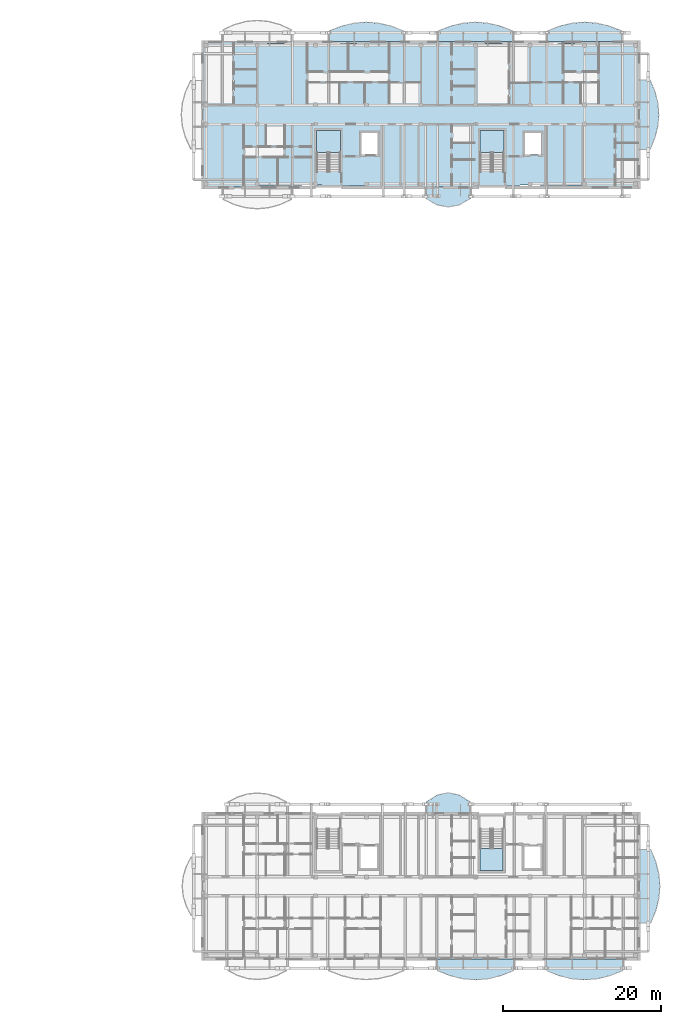
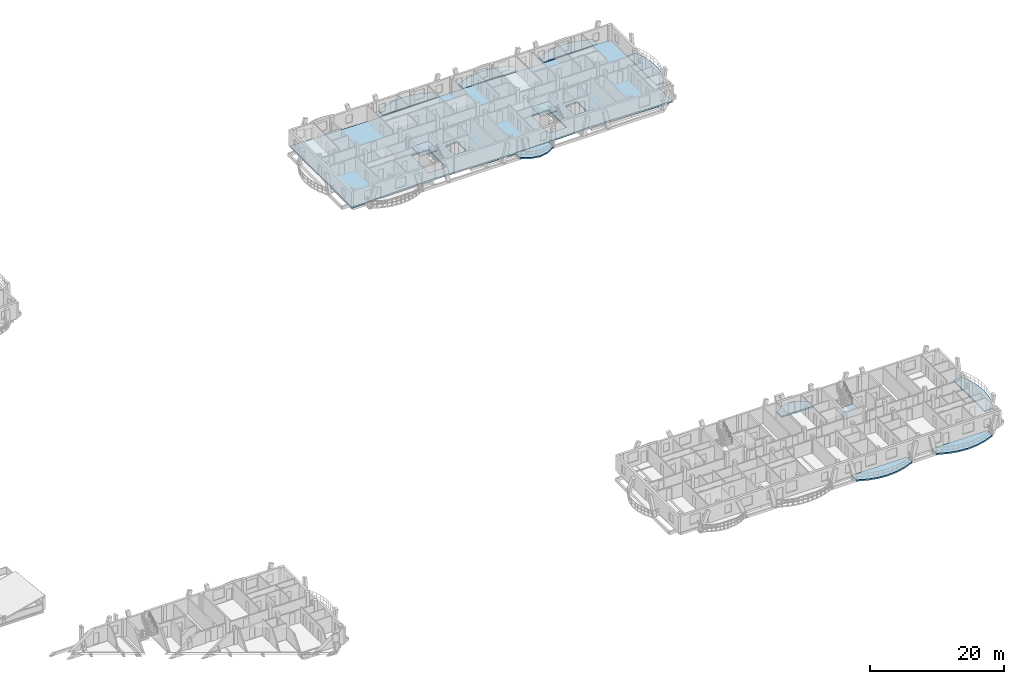
# One storey, part 10 of 50: 13 slabs, 3 elements without a shape of their own.
"""IFC4 building model written with IfcOpenShell, lengths in metres."""

from ifc_helpers import new_model, si_unit, direction, frame, origin, place, context, subcontext, project, spatial, polyline, outline, extrude, material, layer, layer_set, type_object, element, aggregate, save


model = new_model("IFC4")

# Units and contexts
model_context = context("Model", 3, precision=1e-05, world=origin(), true_north=direction((0.0, 1.0)))
body_context = subcontext(model_context, "Body", "Model", "MODEL_VIEW")
ifc_project = project(units=[si_unit("LENGTHUNIT", "METRE"), si_unit("AREAUNIT", "SQUARE_METRE"), si_unit("VOLUMEUNIT", "CUBIC_METRE"), si_unit("PLANEANGLEUNIT", "RADIAN"), si_unit("MASSUNIT", "GRAM", prefix="KILO")], contexts=[model_context])

# Site, building, storey
site_placement = place(None, origin())
site = spatial("IfcSite", under=ifc_project, at=site_placement, CompositionType="ELEMENT")
building_placement = place(site_placement, origin())
building = spatial("IfcBuilding", under=site, at=building_placement, Name="Zavelmont Quarter", CompositionType="ELEMENT")
storey_placement = place(building_placement, frame((0.0, 0.0, 11.199951171875)))
storey = spatial("IfcBuildingStorey", under=building, at=storey_placement, Name="L03", CompositionType="ELEMENT", Elevation=11.199951171875)

# Slabs
ifc_material_1 = material(Name="White architectural precast concrete C40/50", Category="concrete")
ifc_layer_1 = layer(ifc_material_1, 0.235107421875)
ifc_layer_set_1 = layer_set([ifc_layer_1], Name="White architectural precast concrete C40/50")
slab_type_1 = type_object("IfcSlabType", Name="SL-BL180", PredefinedType="FLOOR", material=ifc_layer_set_1)
slab_1_placement = place(storey_placement, frame((0.0, 0.0, -0.23486328125)))
element("IfcSlab", 1, at=slab_1_placement, inside=storey, type_object=slab_type_1, Name="L03 Block C street vase 2 balcony SL-BL180", PredefinedType="FLOOR", context=body_context, shape_type="SweptSolid", body=[
    extrude(outline(polyline([(138.173583984375, 116.02001953125), (138.173583984375, 117.396484375), (136.61572265625, 118.00634765625), (135.057861328125, 118.3720703125), (133.5, 118.493896484375), (131.942138671875, 118.3720703125), (130.38427734375, 118.00634765625), (128.826416015625, 117.396484375), (128.826416015625, 116.02001953125), (138.173583984375, 116.02001953125)])), origin(), (0.0, 0.0, 1.0), 0.23486328125),
])
slab_2_placement = place(storey_placement, frame((0.0, 0.0, -0.23486328125)))
element("IfcSlab", 2, at=slab_2_placement, inside=storey, type_object=slab_type_1, Name="L03 Block C boulevard vase balcony SL-BL180", PredefinedType="FLOOR", context=body_context, shape_type="SweptSolid", body=[
    extrude(outline(polyline([(168.02001953125, 102.40625), (169.396484375, 102.40625), (170.00634765625, 103.870849609375), (170.3720703125, 105.33544921875), (170.493896484375, 106.800048828125), (170.3720703125, 108.2646484375), (170.00634765625, 109.729248046875), (169.396484375, 111.19384765625), (168.02001953125, 111.19384765625), (168.02001953125, 102.40625)])), origin(), (0.0, 0.0, 1.0), 0.23486328125),
])
slab_3_placement = place(storey_placement, frame((0.0, 0.0, -0.23486328125)))
element("IfcSlab", 3, at=slab_3_placement, inside=storey, type_object=slab_type_1, Name="L03 Block D boulevard vase balcony SL-BL180", PredefinedType="FLOOR", context=body_context, shape_type="SweptSolid", body=[
    extrude(outline(polyline([(168.02001953125, 4.561279296875), (169.473876953125, 4.561279296875), (170.1171875, 6.107421875), (170.50341796875, 7.65380859375), (170.632080078125, 9.199951171875), (170.50341796875, 10.746337890625), (170.1171875, 12.29248046875), (169.473876953125, 13.8388671875), (168.02001953125, 13.8388671875), (168.02001953125, 4.561279296875)])), origin(), (0.0, 0.0, 1.0), 0.23486328125),
])
ifc_layer_2 = layer(ifc_material_1, 0.2451171875)
ifc_layer_set_2 = layer_set([ifc_layer_2], Name="White architectural precast concrete C40/50")
slab_type_2 = type_object("IfcSlabType", Name="SL-BL200", PredefinedType="FLOOR", material=ifc_layer_set_2)
slab_4_placement = place(storey_placement, frame((0.0, 0.0, -0.244873046875)))
element("IfcSlab", 4, at=slab_4_placement, inside=storey, type_object=slab_type_2, Name="L03 Block C street vase 4 balcony SL-BL200", PredefinedType="FLOOR", context=body_context, shape_type="SweptSolid", body=[
    extrude(outline(polyline([(165.773681640625, 116.02001953125), (165.773681640625, 117.396484375), (164.2158203125, 118.00634765625), (162.657958984375, 118.3720703125), (161.10009765625, 118.493896484375), (159.5419921875, 118.3720703125), (157.984130859375, 118.00634765625), (156.42626953125, 117.396484375), (156.42626953125, 116.02001953125), (165.773681640625, 116.02001953125)])), origin(), (0.0, 0.0, 1.0), 0.244873046875),
])
slab_5_placement = place(storey_placement, frame((0.0, 0.0, -0.244873046875)))
element("IfcSlab", 5, at=slab_5_placement, inside=storey, type_object=slab_type_2, Name="L03 Block C courtyard central vase balcony SL-BL200", PredefinedType="FLOOR", context=body_context, shape_type="SweptSolid", body=[
    extrude(outline(polyline([(141.004150390625, 97.580078125), (141.004150390625, 96.203369140625), (142.427001953125, 95.38037109375), (143.85009765625, 95.10595703125), (145.27294921875, 95.38037109375), (146.69580078125, 96.203369140625), (146.69580078125, 97.580078125), (141.004150390625, 97.580078125)])), origin(), (0.0, 0.0, 1.0), 0.244873046875),
])
slab_6_placement = place(storey_placement, frame((0.0, 0.0, -0.244873046875)))
element("IfcSlab", 6, at=slab_6_placement, inside=storey, type_object=slab_type_2, Name="L03 Block D street vase 4 balcony SL-BL200", PredefinedType="FLOOR", context=body_context, shape_type="SweptSolid", body=[
    extrude(outline(polyline([(156.3076171875, -0.02001953125), (156.3076171875, -1.473876953125), (157.905029296875, -2.1171875), (159.502685546875, -2.50341796875), (161.10009765625, -2.632080078125), (162.697509765625, -2.50341796875), (164.294921875, -2.1171875), (165.892333984375, -1.473876953125), (165.892333984375, -0.02001953125), (156.3076171875, -0.02001953125)])), origin(), (0.0, 0.0, 1.0), 0.244873046875),
])
slab_7_placement = place(storey_placement, frame((0.0, 0.0, -0.244873046875)))
element("IfcSlab", 7, at=slab_7_placement, inside=storey, type_object=slab_type_2, Name="L03 Block D courtyard central vase balcony SL-BL200", PredefinedType="FLOOR", context=body_context, shape_type="SweptSolid", body=[
    extrude(outline(polyline([(146.620849609375, 18.419921875), (146.620849609375, 19.873779296875), (145.2353515625, 20.742431640625), (143.85009765625, 21.031982421875), (142.464599609375, 20.742431640625), (141.0791015625, 19.873779296875), (141.0791015625, 18.419921875), (146.620849609375, 18.419921875)])), origin(), (0.0, 0.0, 1.0), 0.244873046875),
])
ifc_layer_3 = layer(ifc_material_1, 0.2548828125)
ifc_layer_set_3 = layer_set([ifc_layer_3], Name="White architectural precast concrete C40/50")
slab_type_3 = type_object("IfcSlabType", Name="SL-BL220", PredefinedType="FLOOR", material=ifc_layer_set_3)
slab_8_placement = place(storey_placement, frame((0.0, 0.0, -0.2548828125)))
element("IfcSlab", 8, at=slab_8_placement, inside=storey, type_object=slab_type_3, Name="L03 Block C street vase 3 balcony SL-BL220", PredefinedType="FLOOR", context=body_context, shape_type="SweptSolid", body=[
    extrude(outline(polyline([(151.9736328125, 116.02001953125), (151.9736328125, 117.396484375), (150.415771484375, 118.00634765625), (148.85791015625, 118.3720703125), (147.300048828125, 118.493896484375), (145.7421875, 118.3720703125), (144.18408203125, 118.00634765625), (142.626220703125, 117.396484375), (142.626220703125, 116.02001953125), (151.9736328125, 116.02001953125)])), origin(), (0.0, 0.0, 1.0), 0.2548828125),
])
slab_9_placement = place(storey_placement, frame((0.0, 0.0, -0.2548828125)))
element("IfcSlab", 9, at=slab_9_placement, inside=storey, type_object=slab_type_3, Name="L03 Block D street vase 3 balcony SL-BL220", PredefinedType="FLOOR", context=body_context, shape_type="SweptSolid", body=[
    extrude(outline(polyline([(142.5078125, -0.02001953125), (142.5078125, -1.473876953125), (144.10498046875, -2.1171875), (145.70263671875, -2.50341796875), (147.300048828125, -2.632080078125), (148.8974609375, -2.50341796875), (150.494873046875, -2.1171875), (152.09228515625, -1.473876953125), (152.09228515625, -0.02001953125), (142.5078125, -0.02001953125)])), origin(), (0.0, 0.0, 1.0), 0.2548828125),
])
ifc_material_2 = material(Name="Concrete C35/45", Category="concrete")
ifc_layer_4 = layer(ifc_material_2, 0.260009765625)
ifc_layer_set_4 = layer_set([ifc_layer_4], Name="Concrete C35/45")
slab_type_4 = type_object("IfcSlabType", Name="SL-FL260", PredefinedType="FLOOR", material=ifc_layer_set_4)
slab_10_placement = place(storey_placement, frame((0.0, 0.0, -0.260009765625)))
element("IfcSlab", 10, at=slab_10_placement, inside=storey, type_object=slab_type_4, Name="L03 Block C floor slab SL-FL260", PredefinedType="FLOOR", context=body_context, shape_type="SweptSolid", body=[
    extrude(outline(polyline([(112.800048828125, 97.60009765625), (116.25, 97.64111328125), (119.699951171875, 97.739990234375), (123.14990234375, 97.839111328125), (126.60009765625, 97.8798828125), (130.050048828125, 97.839111328125), (133.5, 97.739990234375), (136.949951171875, 97.64111328125), (140.39990234375, 97.60009765625), (143.85009765625, 97.64111328125), (147.300048828125, 97.739990234375), (150.75, 97.839111328125), (154.199951171875, 97.8798828125), (157.64990234375, 97.839111328125), (161.10009765625, 97.739990234375), (164.550048828125, 97.64111328125), (168.0, 97.60009765625), (168.0, 101.280029296875), (168.0, 104.9599609375), (168.0, 108.639892578125), (168.0, 112.320068359375), (168.0, 116.0), (164.550048828125, 115.958984375), (161.10009765625, 115.860107421875), (157.64990234375, 115.760986328125), (154.199951171875, 115.719970703125), (150.75, 115.760986328125), (147.300048828125, 115.860107421875), (143.85009765625, 115.958984375), (140.39990234375, 116.0), (136.949951171875, 115.958984375), (133.5, 115.860107421875), (130.050048828125, 115.760986328125), (126.60009765625, 115.719970703125), (123.14990234375, 115.760986328125), (119.699951171875, 115.860107421875), (116.25, 115.958984375), (112.800048828125, 116.0), (112.800048828125, 112.320068359375), (112.800048828125, 108.639892578125), (112.800048828125, 104.9599609375), (112.800048828125, 101.280029296875), (112.800048828125, 97.60009765625)]), holes=[polyline([(130.199951171875, 99.574951171875), (130.199951171875, 104.800048828125), (127.199951171875, 104.800048828125), (127.199951171875, 99.574951171875), (130.199951171875, 99.574951171875)]), polyline([(132.85009765625, 101.75), (134.949951171875, 101.75), (134.949951171875, 104.5), (132.85009765625, 104.5), (132.85009765625, 101.75)]), polyline([(150.89990234375, 99.574951171875), (150.89990234375, 104.800048828125), (147.89990234375, 104.800048828125), (147.89990234375, 99.574951171875), (150.89990234375, 99.574951171875)]), polyline([(153.550048828125, 101.75), (155.64990234375, 101.75), (155.64990234375, 104.5), (153.550048828125, 104.5), (153.550048828125, 101.75)])]), origin(), (0.0, 0.0, 1.0), 0.260009765625),
])

# Stair, slab
stair_type_1 = type_object("IfcStairType", Name="STR-1400-1778", PredefinedType="HALF_TURN_STAIR", material=ifc_material_2)
stair_1_placement = place(storey_placement, origin())
stair_1 = element("IfcStair", 11, at=stair_1_placement, inside=storey, type_object=stair_type_1, Name="L03 protected stair ST05", PredefinedType="HALF_TURN_STAIR")
ifc_layer_5 = layer(ifc_material_2, 0.199951171875)
ifc_layer_set_5 = layer_set([ifc_layer_5], Name="Concrete C35/45")
slab_type_5 = type_object("IfcSlabType", Name="SL-LND200", PredefinedType="LANDING", material=ifc_layer_set_5)
slab_11_placement = place(storey_placement, frame((0.0, 0.0, 1.400146484375)))
slab_11 = element("IfcSlab", 12, at=slab_11_placement, type_object=slab_type_5, Name="ST05 landing 1", PredefinedType="LANDING", context=body_context, shape_type="SweptSolid", body=[
    extrude(outline(polyline([(130.199951171875, 102.030029296875), (130.199951171875, 104.800048828125), (127.199951171875, 104.800048828125), (127.199951171875, 102.030029296875), (130.199951171875, 102.030029296875)])), origin(), (0.0, 0.0, 1.0), 0.199951171875),
])
aggregate(stair_1, [slab_11])

stair_2_placement = place(storey_placement, origin())
stair_2 = element("IfcStair", 13, at=stair_2_placement, inside=storey, type_object=stair_type_1, Name="L03 protected stair ST06", PredefinedType="HALF_TURN_STAIR")
slab_12_placement = place(storey_placement, frame((0.0, 0.0, 1.400146484375)))
slab_12 = element("IfcSlab", 14, at=slab_12_placement, type_object=slab_type_5, Name="ST06 landing 1", PredefinedType="LANDING", context=body_context, shape_type="SweptSolid", body=[
    extrude(outline(polyline([(150.89990234375, 102.030029296875), (150.89990234375, 104.800048828125), (147.89990234375, 104.800048828125), (147.89990234375, 102.030029296875), (150.89990234375, 102.030029296875)])), origin(), (0.0, 0.0, 1.0), 0.199951171875),
])
aggregate(stair_2, [slab_12])

stair_type_2 = type_object("IfcStairType", Name="STR-1350-1778", PredefinedType="HALF_TURN_STAIR", material=ifc_material_2)
stair_3_placement = place(storey_placement, origin())
stair_3 = element("IfcStair", 15, at=stair_3_placement, inside=storey, type_object=stair_type_2, Name="L03 protected stair ST08", PredefinedType="HALF_TURN_STAIR")
slab_13_placement = place(storey_placement, frame((0.0, 0.0, 1.400146484375)))
slab_13 = element("IfcSlab", 16, at=slab_13_placement, type_object=slab_type_5, Name="ST08 landing 1", PredefinedType="LANDING", context=body_context, shape_type="SweptSolid", body=[
    extrude(outline(polyline([(147.89990234375, 13.969970703125), (147.89990234375, 11.199951171875), (150.800048828125, 11.199951171875), (150.800048828125, 13.969970703125), (147.89990234375, 13.969970703125)])), origin(), (0.0, 0.0, 1.0), 0.199951171875),
])
aggregate(stair_3, [slab_13])

save(model, "model.ifc")
